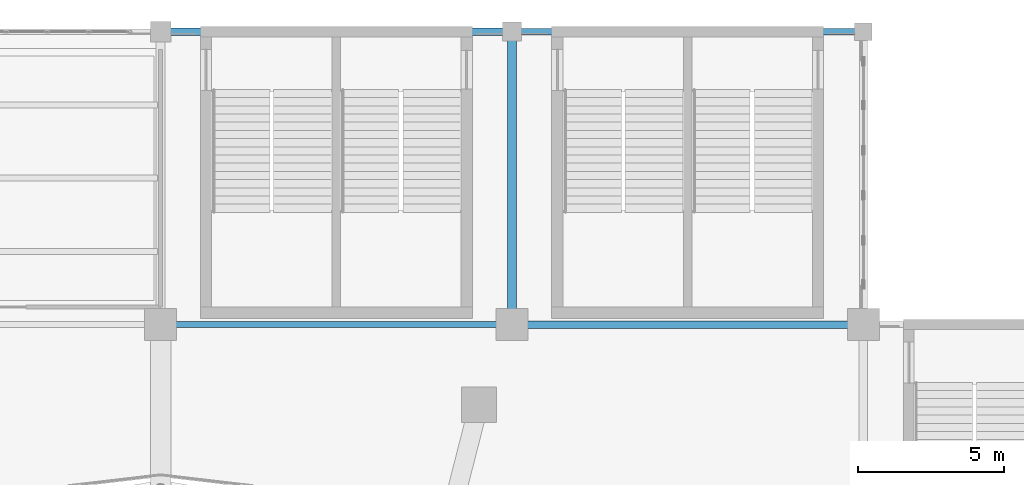
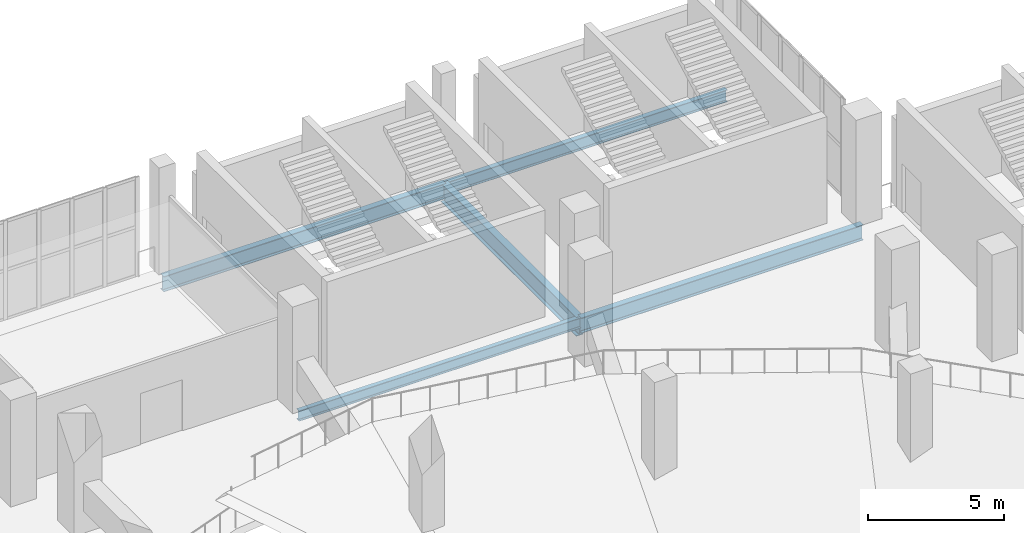
# One storey, part 55 of 136: 5 beams.
"""IFC4 building model written with IfcOpenShell, lengths in metres."""

from ifc_helpers import new_model, si_unit, direction, frame, origin, origin_2d, place, context, subcontext, project, spatial, i_section, extrude, material, material_profile, profile_set, type_object, element, save


model = new_model("IFC4")

# Units and contexts
model_context = context("Model", 3, precision=1e-05, world=origin(), true_north=direction((0.0, 1.0)))
body_context = subcontext(model_context, "Body", "Model", "MODEL_VIEW")
ifc_project = project(units=[si_unit("LENGTHUNIT", "METRE"), si_unit("AREAUNIT", "SQUARE_METRE"), si_unit("VOLUMEUNIT", "CUBIC_METRE"), si_unit("PLANEANGLEUNIT", "RADIAN"), si_unit("MASSUNIT", "GRAM", prefix="KILO")], contexts=[model_context])

# Site, building, storey
site_placement = place(None, origin())
site = spatial("IfcSite", under=ifc_project, at=site_placement, CompositionType="ELEMENT")
building_placement = place(site_placement, origin())
building = spatial("IfcBuilding", under=site, at=building_placement, Name="Brinegate Civic Arena", CompositionType="ELEMENT")
storey_placement = place(building_placement, frame((0.0, 0.0, 5.39990234375)))
storey = spatial("IfcBuildingStorey", under=building, at=storey_placement, Name="L01", CompositionType="ELEMENT", Elevation=5.39990234375)

# Beams
ifc_material = material(Name="Steel S355", Category="steel")
ifc_material_profile_1 = material_profile(ifc_material, i_section(OverallWidth=0.2939453125, OverallDepth=0.85107421875, WebThickness=0.01611328125, FlangeThickness=0.027099609375, FilletRadius=0.02197265625, at=origin_2d()), Name="W840X226")
ifc_profile_set_1 = profile_set([ifc_material_profile_1], Name="Steel S355")
beam_type_1 = type_object("IfcBeamType", Name="GIRDER-W840X226", PredefinedType="BEAM", material=ifc_profile_set_1)
beam_1_placement = place(storey_placement, frame((120.0, 114.0, -0.764892578125), z_axis=(0.0, 1.0, 0.0), x_axis=(-1.0, 0.0, 0.0)))
element("IfcBeam", 1, at=beam_1_placement, inside=storey, type_object=beam_type_1, Name="Floor Girder BM-L01-GY-10-11", PredefinedType="BEAM", context=body_context, shape_type="SweptSolid", body=[
    extrude(i_section(OverallWidth=0.2939453125, OverallDepth=0.85107421875, WebThickness=0.01611328125, FlangeThickness=0.027099609375, FilletRadius=0.02197265625, at=origin_2d()), origin(), (0.0, 0.0, 1.0), 10.0),
])
ifc_material_profile_2 = material_profile(ifc_material, i_section(OverallWidth=0.193115234375, OverallDepth=0.466064453125, WebThickness=0.010986328125, FlangeThickness=0.01904296875, FilletRadius=0.014892578125, at=origin_2d()), Name="W460X97")
ifc_profile_set_2 = profile_set([ifc_material_profile_2], Name="Steel S355")
beam_type_2 = type_object("IfcBeamType", Name="SPANDREL-W460X97", PredefinedType="SPANDREL", material=ifc_profile_set_2)
beam_2_placement = place(storey_placement, frame((108.0, 114.0, -0.572998046875), z_axis=(1.0, 0.0, 0.0), x_axis=(0.0, 1.0, 0.0)))
element("IfcBeam", 2, at=beam_2_placement, inside=storey, type_object=beam_type_2, Name="Floor Girder BM-L01-GX-09-11", PredefinedType="SPANDREL", context=body_context, shape_type="SweptSolid", body=[
    extrude(i_section(OverallWidth=0.193115234375, OverallDepth=0.466064453125, WebThickness=0.010986328125, FlangeThickness=0.01904296875, FilletRadius=0.014892578125, at=origin_2d()), origin(), (0.0, 0.0, 1.0), 12.0),
])
ifc_material_profile_3 = material_profile(ifc_material, i_section(OverallWidth=0.2119140625, OverallDepth=0.5439453125, WebThickness=0.012939453125, FlangeThickness=0.02099609375, FilletRadius=0.01611328125, at=origin_2d()), Name="W530X123")
ifc_profile_set_3 = profile_set([ifc_material_profile_3], Name="Steel S355")
beam_type_3 = type_object("IfcBeamType", Name="SPANDREL-W530X123", PredefinedType="SPANDREL", material=ifc_profile_set_3)
beam_3_placement = place(storey_placement, frame((120.0, 124.0, -0.61181640625), z_axis=(1.0, 0.0, 0.0), x_axis=(0.0, 1.0, 0.0)))
element("IfcBeam", 3, at=beam_3_placement, inside=storey, type_object=beam_type_3, Name="Floor Girder BM-L01-GX-10-12", PredefinedType="SPANDREL", context=body_context, shape_type="SweptSolid", body=[
    extrude(i_section(OverallWidth=0.2119140625, OverallDepth=0.5439453125, WebThickness=0.012939453125, FlangeThickness=0.02099609375, FilletRadius=0.01611328125, at=origin_2d()), origin(), (0.0, 0.0, 1.0), 12.0),
])
ifc_material_profile_4 = material_profile(ifc_material, i_section(OverallWidth=0.256103515625, OverallDepth=0.693115234375, WebThickness=0.014892578125, FlangeThickness=0.02392578125, FilletRadius=0.01806640625, at=origin_2d()), Name="W690X170")
ifc_profile_set_4 = profile_set([ifc_material_profile_4], Name="Steel S355")
beam_type_4 = type_object("IfcBeamType", Name="SPANDREL-W690X170", PredefinedType="SPANDREL", material=ifc_profile_set_4)
for number, where, z_axis, x_axis, name in (
    (4, (120.0, 114.0, -0.685791015625), (1.0, 0.0, 0.0), (0.0, 1.0, 0.0), "Floor Girder BM-L01-GX-10-11"),
    (5, (108.0, 124.0, -0.685791015625), (1.0, 0.0, 0.0), (0.0, 1.0, 0.0), "Floor Girder BM-L01-GX-09-12"),
):
    element("IfcBeam", number, at=place(storey_placement, frame(where, z_axis=z_axis, x_axis=x_axis)), inside=storey, type_object=beam_type_4, Name=name, PredefinedType="SPANDREL", context=body_context, shape_type="SweptSolid", body=[
        extrude(i_section(OverallWidth=0.256103515625, OverallDepth=0.693115234375, WebThickness=0.014892578125, FlangeThickness=0.02392578125, FilletRadius=0.01806640625, at=origin_2d()), origin(), (0.0, 0.0, 1.0), 12.0),
    ])

save(model, "model.ifc")
